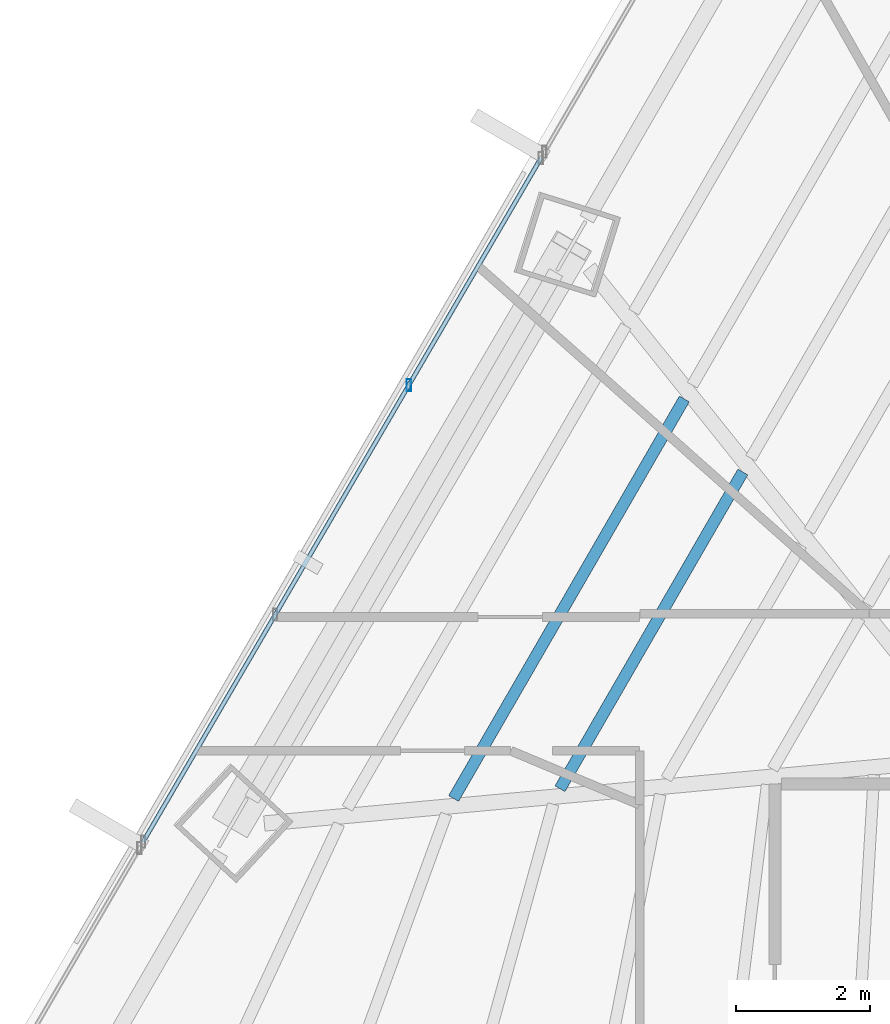
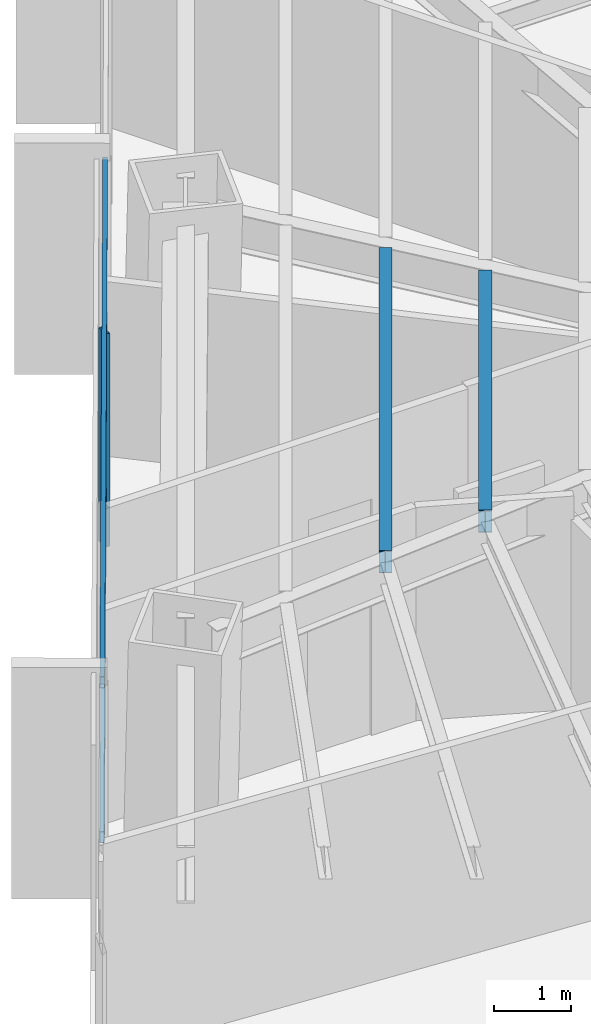
# One storey, part 13 of 35: 3 members, 2 beams, 1 element without a shape of its own.
"""IFC4 building model written with IfcOpenShell, lengths in metres."""

from ifc_helpers import new_model, si_unit, direction, frame, origin, origin_2d, place, context, subcontext, project, spatial, hollow_rectangle, i_section, extrude, source, transform, mapped, material, material_profile, profile_set, type_object, type_shapes, element, aggregate, save


model = new_model("IFC4")

# Units and contexts
model_context = context("Model", 3, precision=1e-05, world=origin(), true_north=direction((0.0, 1.0)))
body_context = subcontext(model_context, "Body", "Model", "MODEL_VIEW")
ifc_project = project(units=[si_unit("LENGTHUNIT", "METRE"), si_unit("AREAUNIT", "SQUARE_METRE"), si_unit("VOLUMEUNIT", "CUBIC_METRE"), si_unit("PLANEANGLEUNIT", "RADIAN"), si_unit("MASSUNIT", "GRAM", prefix="KILO")], contexts=[model_context])

# Site, building, storey
site_placement = place(None, origin())
site = spatial("IfcSite", under=ifc_project, at=site_placement, CompositionType="ELEMENT")
building_placement = place(site_placement, origin())
building = spatial("IfcBuilding", under=site, at=building_placement, Name="Caelisora Broadcast Tower", CompositionType="ELEMENT")
storey_placement = place(building_placement, frame((0.0, 0.0, 53.14990234375)))
storey = spatial("IfcBuildingStorey", under=building, at=storey_placement, Name="L13", CompositionType="ELEMENT", Elevation=53.14990234375)

# Beams
ifc_material_1 = material(Name="Steel Grade 350 (AS/NZS 3679.1)", Category="steel")
ifc_material_profile_1 = material_profile(ifc_material_1, i_section(OverallWidth=0.172119140625, OverallDepth=0.358642578125, WebThickness=0.008056640625, FlangeThickness=0.012939453125, at=origin_2d()), Name="Steel Grade 350 (AS/NZS 3679.1)")
ifc_profile_set_1 = profile_set([ifc_material_profile_1], Name="Steel Grade 350 (AS/NZS 3679.1)")
beam_type = type_object("IfcBeamType", Name="SB02", PredefinedType="JOIST", material=ifc_profile_set_1)
shared_shape_1 = source(origin(), body_context, "Body", "SweptSolid", [
    extrude(i_section(OverallWidth=0.172119140625, OverallDepth=0.358642578125, WebThickness=0.008056640625, FlangeThickness=0.012939453125, at=origin_2d()), origin(), (0.0, 0.0, 1.0), 5.468017578125),
])
beam_1_placement = place(storey_placement, frame((26.941650390625, 34.26708984375, 3.220703125), z_axis=(-0.4999710954, -0.86604209122, 0.0), x_axis=(0.86604209122, -0.4999710954, 0.0)))
element("IfcBeam", 1, at=beam_1_placement, inside=storey, type_object=beam_type, Name="L13 beam SB02", PredefinedType="JOIST", context=body_context, shape_type="MappedRepresentation", body=[
    mapped(shared_shape_1, transform((0.0, 0.0, 0.0), scale=1.0)),
])
shared_shape_2 = source(origin(), body_context, "Body", "SweptSolid", [
    extrude(i_section(OverallWidth=0.172119140625, OverallDepth=0.358642578125, WebThickness=0.008056640625, FlangeThickness=0.012939453125, at=origin_2d()), origin(), (0.0, 0.0, 1.0), 6.89892578125),
])
type_shapes(beam_type, [shared_shape_1, shared_shape_2])
beam_2_placement = place(storey_placement, frame((26.067138671875, 35.359619140625, 3.220703125), z_axis=(-0.500028775594, -0.86600878955, 0.0), x_axis=(0.86600878955, -0.500028775594, 0.0)))
element("IfcBeam", 2, at=beam_2_placement, inside=storey, type_object=beam_type, Name="L13 beam SB02", PredefinedType="JOIST", context=body_context, shape_type="MappedRepresentation", body=[
    mapped(shared_shape_2, transform((0.0, 0.0, 0.0), scale=1.0)),
])

# Curtain wall, members
ifc_material_2 = material(Name="Unitised Aluminium Insulated Shadow-Box Spandrel Curtain Wall", Category="aluminium")
curtain_wall_type = type_object("IfcCurtainWallType", Name="CW-SP1", PredefinedType="NOTDEFINED", material=ifc_material_2)
curtain_wall_placement = place(storey_placement, origin())
curtain_wall = element("IfcCurtainWall", 3, at=curtain_wall_placement, inside=storey, type_object=curtain_wall_type, Name="L13 curtain wall CW-SP1", PredefinedType="NOTDEFINED")
ifc_material_3 = material(Name="Aluminium 6063-T6 Anodised Terracotta Bronze", Category="aluminium")
ifc_material_profile_2 = material_profile(ifc_material_3, hollow_rectangle(XDim=0.06494140625, YDim=0.179931640625, WallThickness=0.00341796875, at=origin_2d()), Name="Aluminium 6063-T6 Anodised Terracotta Bronze")
ifc_profile_set_2 = profile_set([ifc_material_profile_2], Name="Aluminium 6063-T6 Anodised Terracotta Bronze")
member_type_1 = type_object("IfcMemberType", Name="CWM-02", PredefinedType="MULLION", material=ifc_profile_set_2)
shared_shape_3 = source(origin(), body_context, "Body", "SweptSolid", [
    extrude(hollow_rectangle(XDim=0.06494140625, YDim=0.179931640625, WallThickness=0.00341796875, at=origin_2d()), origin(), (0.0, 0.0, 1.0), 3.400146484375),
])
type_shapes(member_type_1, [shared_shape_3])
member_1_placement = place(storey_placement, frame((21.947998046875, 35.56640625, 0.0), z_axis=(0.0, 0.0, 1.0), x_axis=(1.0, 0.0, 0.0)))
member_1 = element("IfcMember", 4, at=member_1_placement, type_object=member_type_1, Name="L13-CW-B10 mullion #2", PredefinedType="MULLION", context=body_context, shape_type="MappedRepresentation", body=[
    mapped(shared_shape_3, transform((0.0, 0.0, 0.0), scale=1.0)),
])
ifc_material_profile_3 = material_profile(ifc_material_3, hollow_rectangle(XDim=0.06494140625, YDim=0.179931640625, WallThickness=0.00341796875, at=origin_2d()), Name="Aluminium 6063-T6 Anodised Terracotta Bronze")
ifc_profile_set_3 = profile_set([ifc_material_profile_3], Name="Aluminium 6063-T6 Anodised Terracotta Bronze")
member_type_2 = type_object("IfcMemberType", Name="CWT-01", PredefinedType="USERDEFINED", material=ifc_profile_set_3)
shared_shape_4 = source(origin(), body_context, "Body", "SweptSolid", [
    extrude(hollow_rectangle(XDim=0.06494140625, YDim=0.179931640625, WallThickness=0.00341796875, at=origin_2d()), origin(), (0.0, 0.0, 1.0), 11.824462890625),
])
type_shapes(member_type_2, [shared_shape_4])
member_2_placement = place(storey_placement, frame((17.975341796875, 28.73828125, 0.85009765625), z_axis=(0.502883481584, 0.864354212085, 0.0), x_axis=(-0.864354212085, 0.502883481584, 0.0)))
member_2 = element("IfcMember", 5, at=member_2_placement, type_object=member_type_2, Name="L13-CW-B10 transom #1", ObjectType="TRANSOM", PredefinedType="USERDEFINED", context=body_context, shape_type="MappedRepresentation", body=[
    mapped(shared_shape_4, transform((0.0, 0.0, 0.0), scale=1.0)),
])
member_3_placement = place(storey_placement, frame((17.975341796875, 28.73828125, 3.320068359375), z_axis=(0.502883481584, 0.864354212085, 0.0), x_axis=(-0.864354212085, 0.502883481584, 0.0)))
member_3 = element("IfcMember", 6, at=member_3_placement, type_object=member_type_2, Name="L13-CW-B10 transom #2", ObjectType="TRANSOM", PredefinedType="USERDEFINED", context=body_context, shape_type="MappedRepresentation", body=[
    mapped(shared_shape_4, transform((0.0, 0.0, 0.0), scale=1.0)),
])
aggregate(curtain_wall, [member_1, member_2, member_3])

save(model, "model.ifc")
